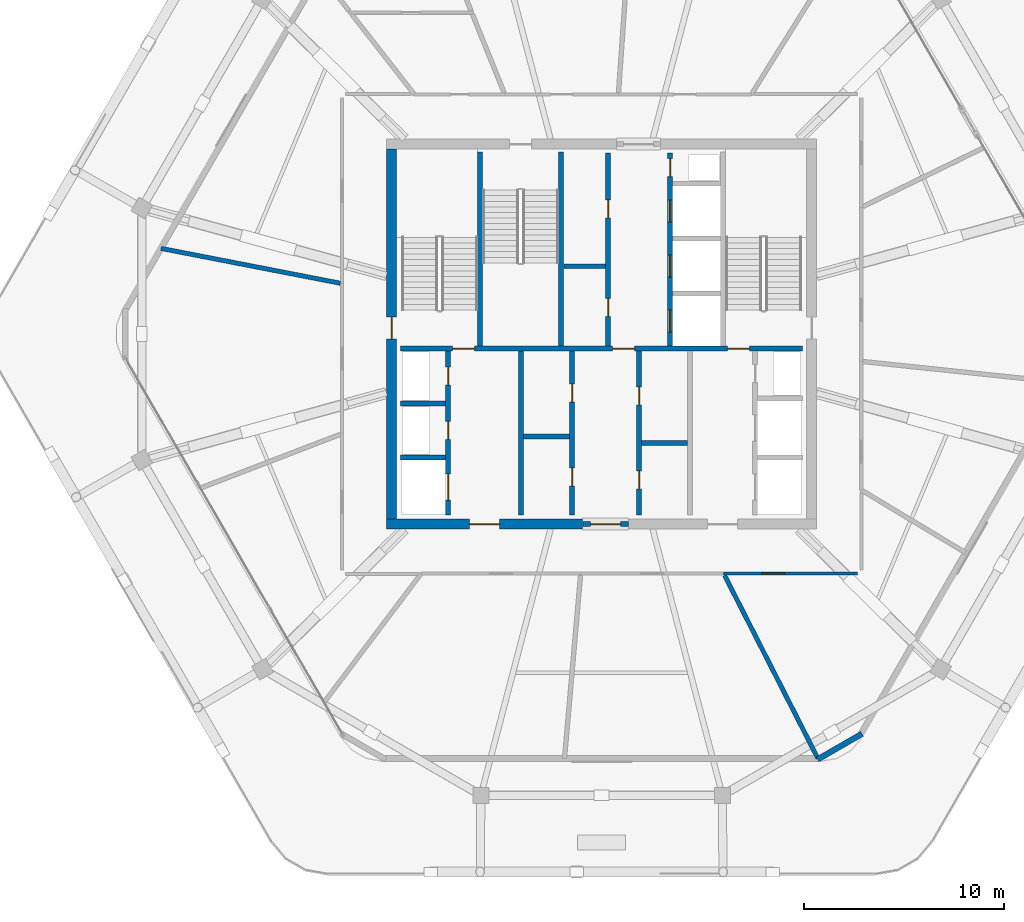
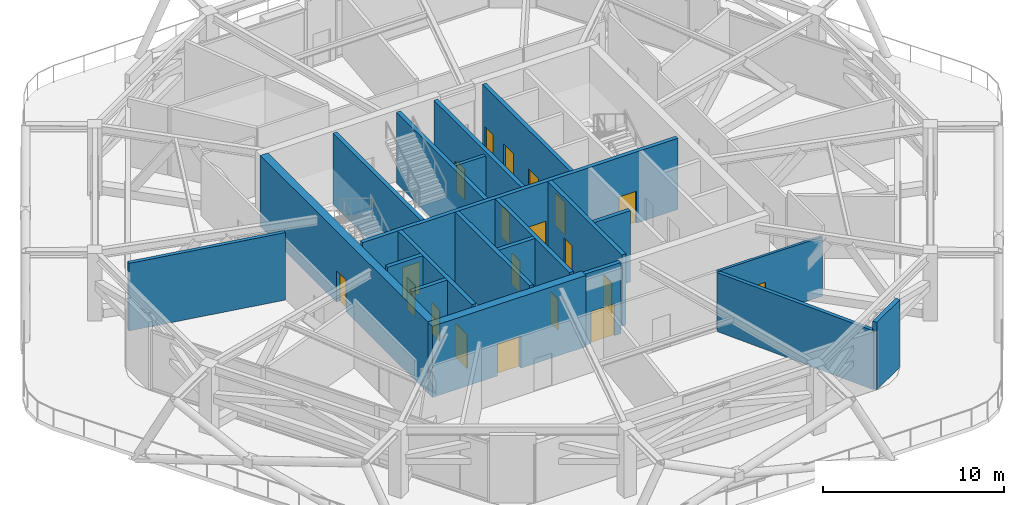
# One storey, part 13 of 19: 21 walls, 20 doors, 20 openings.
"""IFC4 building model written with IfcOpenShell, lengths in metres."""

from ifc_helpers import new_model, si_unit, direction, frame, frame_2d, origin, place, context, subcontext, project, spatial, rectangle, extrude, material, layer, layer_set, type_object, element, fill, save


model = new_model("IFC4")

# Units and contexts
model_context = context("Model", 3, precision=1e-05, world=origin(), true_north=direction((0.0, 1.0)))
body_context = subcontext(model_context, "Body", "Model", "MODEL_VIEW")
ifc_project = project(units=[si_unit("LENGTHUNIT", "METRE"), si_unit("AREAUNIT", "SQUARE_METRE"), si_unit("VOLUMEUNIT", "CUBIC_METRE"), si_unit("PLANEANGLEUNIT", "RADIAN"), si_unit("MASSUNIT", "GRAM", prefix="KILO")], contexts=[model_context])

# Site, building, storey
site_placement = place(None, origin())
site = spatial("IfcSite", under=ifc_project, at=site_placement, CompositionType="ELEMENT")
building_placement = place(site_placement, origin())
building = spatial("IfcBuilding", under=site, at=building_placement, Name="Zuhravey Tower", CompositionType="ELEMENT")
storey_placement = place(building_placement, frame((0.0, 0.0, 303.39990234375)))
storey = spatial("IfcBuildingStorey", under=building, at=storey_placement, Name="L77", CompositionType="ELEMENT", Elevation=303.39990234375)

# Wall, opening, door
ifc_material_1 = material(Name="Concrete C50/60", Category="concrete")
ifc_layer_1 = layer(ifc_material_1, 0.5)
ifc_layer_set_1 = layer_set([ifc_layer_1], Name="Concrete C50/60")
wall_type_1 = type_object("IfcWallType", Name="Core Shear Wall 500", PredefinedType="SHEAR", material=ifc_layer_set_1)
wall_1_placement = place(storey_placement, frame((25.25, 22.5, 0.0), z_axis=(0.0, 0.0, 1.0), x_axis=(1.0, 0.0, 0.0)))
wall_1 = element("IfcWall", 1, at=wall_1_placement, inside=storey, type_object=wall_type_1, Name="L77 South-West Core Shear Wall CW50", PredefinedType="SHEAR", context=body_context, shape_type="SweptSolid", body=[
    extrude(rectangle(XDim=9.800048828125, YDim=0.5, at=frame_2d((4.89990234375, 0.0))), origin(), (0.0, 0.0, 1.0), 4.800048828125),
])
opening_1_placement = place(wall_1_placement, frame((4.14990234375, 0.0, 0.0)))
opening_1 = element("IfcOpeningElement", 2, at=opening_1_placement, cuts=wall_1, Name="Opening FFD1", PredefinedType="OPENING", context=body_context, shape_type="SweptSolid", body=[
    extrude(rectangle(XDim=1.5, YDim=2.14990234375, at=frame_2d((0.75, 1.074951171875))), frame((0.0, 0.261962890625, 0.0), z_axis=(0.0, -1.0, 0.0), x_axis=(1.0, 0.0, 0.0)), (0.0, 0.0, 1.0), 0.52392578125),
])
ifc_material_2 = material(Name="Galvanised fire-rated steel leaf", Category="steel")
door_type_1 = type_object("IfcDoorType", Name="Firefighting Lobby Double Door 1500x2150", OperationType="DOUBLE_DOOR_SINGLE_SWING", PredefinedType="DOOR", material=ifc_material_2)
door_1_placement = place(opening_1_placement, origin())
door_1 = element("IfcDoor", 3, at=door_1_placement, inside=storey, type_object=door_type_1, Name="L77 Firefighting Lobby West Door", OperationType="DOUBLE_DOOR_SINGLE_SWING", OverallHeight=2.14990234375, OverallWidth=1.5, PredefinedType="DOOR", context=body_context, shape_type="SweptSolid", body=[
    extrude(rectangle(XDim=1.5, YDim=2.14990234375, at=frame_2d((0.75, 1.074951171875))), frame((0.0, 0.02490234375, 0.0), z_axis=(0.0, -1.0, 0.0), x_axis=(1.0, 0.0, 0.0)), (0.0, 0.0, 1.0), 0.050048828125),
])
fill(opening_1, door_1)

wall_2_placement = place(storey_placement, frame((25.5, 22.75, 0.0), z_axis=(0.0, 0.0, 1.0), x_axis=(0.0, 1.0, 0.0)))
wall_2 = element("IfcWall", 4, at=wall_2_placement, inside=storey, type_object=wall_type_1, Name="L77 West Core Shear Wall CW50", PredefinedType="SHEAR", context=body_context, shape_type="SweptSolid", body=[
    extrude(rectangle(XDim=18.5, YDim=0.5, at=frame_2d((9.25, 0.0))), origin(), (0.0, 0.0, 1.0), 4.800048828125),
])
opening_2_placement = place(wall_2_placement, frame((9.0, 0.0, 0.0)))
opening_2 = element("IfcOpeningElement", 5, at=opening_2_placement, cuts=wall_2, Name="Opening STD1", PredefinedType="OPENING", context=body_context, shape_type="SweptSolid", body=[
    extrude(rectangle(XDim=1.10009765625, YDim=2.14990234375, at=frame_2d((0.550048828125, 1.074951171875))), frame((0.0, 0.261962890625, 0.0), z_axis=(0.0, -1.0, 0.0), x_axis=(1.0, 0.0, 0.0)), (0.0, 0.0, 1.0), 0.52392578125),
])
door_type_2 = type_object("IfcDoorType", Name="Protected Stair Fire Door 1100x2150", OperationType="NOTDEFINED", PredefinedType="USERDEFINED", material=ifc_material_2)
door_2_placement = place(opening_2_placement, frame((1.10009765625, 0.0, 0.0), z_axis=(0.0, 0.0, 1.0), x_axis=(-1.0, 0.0, 0.0)))
door_2 = element("IfcDoor", 6, at=door_2_placement, inside=storey, type_object=door_type_2, Name="L77 Stair ST1 Door", ObjectType="EXITDOOR", OperationType="SINGLE_SWING_LEFT", OverallHeight=2.14990234375, OverallWidth=1.10009765625, PredefinedType="USERDEFINED", context=body_context, shape_type="SweptSolid", body=[
    extrude(rectangle(XDim=1.10009765625, YDim=2.14990234375, at=frame_2d((0.550048828125, 1.074951171875))), frame((0.0, 0.02490234375, 0.0), z_axis=(0.0, -1.0, 0.0), x_axis=(1.0, 0.0, 0.0)), (0.0, 0.0, 1.0), 0.050048828125),
])
fill(opening_2, door_2)

ifc_material_3 = material(Name="Gypsum fire-rated stud partition")
ifc_layer_2 = layer(ifc_material_3, 0.159912109375)
ifc_layer_set_2 = layer_set([ifc_layer_2], Name="Gypsum fire-rated stud partition")
wall_type_2 = type_object("IfcWallType", Name="Corridor Fire Partition 160", PredefinedType="PARTITIONING", material=ifc_layer_set_2)
wall_3_placement = place(storey_placement, frame((42.10400390625, 20.02001953125, 0.0), z_axis=(0.0, 0.0, 1.0), x_axis=(1.0, 0.0, 0.0)))
wall_3 = element("IfcWall", 7, at=wall_3_placement, inside=storey, type_object=wall_type_2, Name="L77 IW16 Partition 030", PredefinedType="PARTITIONING", context=body_context, shape_type="SweptSolid", body=[
    extrude(rectangle(XDim=6.696044921875, YDim=0.159912109375, at=frame_2d((3.34814453125, 0.0))), origin(), (0.0, 0.0, 1.0), 4.0),
])
opening_3_placement = place(wall_3_placement, frame((1.892822265625, 0.0, 0.0)))
opening_3 = element("IfcOpeningElement", 8, at=opening_3_placement, cuts=wall_3, Name="Opening CLD1", PredefinedType="OPENING", context=body_context, shape_type="SweptSolid", body=[
    extrude(rectangle(XDim=1.14990234375, YDim=2.199951171875, at=frame_2d((0.574951171875, 1.10009765625))), frame((0.0, 0.092041015625, 0.0), z_axis=(0.0, -1.0, 0.0), x_axis=(1.0, 0.0, 0.0)), (0.0, 0.0, 1.0), 0.183837890625),
])
ifc_material_4 = material(Name="Acoustic timber leaf with vision lite", Category="wood")
door_type_3 = type_object("IfcDoorType", Name="Classroom Acoustic Door 1150x2200", OperationType="NOTDEFINED", PredefinedType="DOOR", material=ifc_material_4)
door_3_placement = place(opening_3_placement, frame((1.14990234375, 0.0, 0.0), z_axis=(0.0, 0.0, 1.0), x_axis=(-1.0, 0.0, 0.0)))
door_3 = element("IfcDoor", 9, at=door_3_placement, inside=storey, type_object=door_type_3, Name="L77 Door 030.1", OperationType="SINGLE_SWING_RIGHT", OverallHeight=2.199951171875, OverallWidth=1.14990234375, PredefinedType="DOOR", context=body_context, shape_type="SweptSolid", body=[
    extrude(rectangle(XDim=1.14990234375, YDim=2.199951171875, at=frame_2d((0.574951171875, 1.10009765625))), frame((0.0, 0.02490234375, 0.0), z_axis=(0.0, -1.0, 0.0), x_axis=(1.0, 0.0, 0.0)), (0.0, 0.0, 1.0), 0.050048828125),
])
fill(opening_3, door_3)

# Wall
ifc_material_5 = material(Name="Precast concrete C40/50", Category="concrete")
ifc_layer_3 = layer(ifc_material_5, 0.280029296875)
ifc_layer_set_3 = layer_set([ifc_layer_3], Name="Precast concrete C40/50")
wall_type_3 = type_object("IfcWallType", Name="Crown Architectural Wall 280", PredefinedType="SOLIDWALL", material=ifc_layer_set_3)
wall_4_placement = place(storey_placement, frame((49.021484375, 12.010986328125, 0.0), z_axis=(0.0, 0.0, 1.0), x_axis=(-0.866014388206, -0.500019079056, 0.0)))
element("IfcWall", 10, at=wall_4_placement, inside=storey, type_object=wall_type_3, Name="L77 Rounded Corner Closure Wall EW28-02", PredefinedType="SOLIDWALL", context=body_context, shape_type="SweptSolid", body=[
    extrude(rectangle(XDim=2.56494140625, YDim=0.280029296875, at=frame_2d((1.282470703125, 0.0))), origin(), (0.0, 0.0, 1.0), 4.550048828125),
])

# Wall, opening, door
ifc_layer_4 = layer(ifc_material_1, 0.25)
ifc_layer_set_4 = layer_set([ifc_layer_4], Name="Concrete C50/60")
wall_type_4 = type_object("IfcWallType", Name="Firefighting Shaft & Stair Wall 250", PredefinedType="SOLIDWALL", material=ifc_layer_set_4)
wall_5_placement = place(storey_placement, frame((35.06005859375, 22.5, 0.0), z_axis=(0.0, 0.0, 1.0), x_axis=(1.0, 0.0, 0.0)))
wall_5 = element("IfcWall", 11, at=wall_5_placement, inside=storey, type_object=wall_type_4, Name="L77 FW25 Shaft Wall 001", PredefinedType="SOLIDWALL", context=body_context, shape_type="SweptSolid", body=[
    extrude(rectangle(XDim=2.280029296875, YDim=0.25, at=frame_2d((1.14013671875, 0.0))), origin(), (0.0, 0.0, 1.0), 4.800048828125),
])
opening_4_placement = place(wall_5_placement, frame((0.389892578125, 0.0, 0.0)))
opening_4 = element("IfcOpeningElement", 12, at=opening_4_placement, cuts=wall_5, Name="Opening FFD1", PredefinedType="OPENING", context=body_context, shape_type="SweptSolid", body=[
    extrude(rectangle(XDim=1.5, YDim=2.14990234375, at=frame_2d((0.75, 1.074951171875))), frame((0.0, 0.136962890625, 0.0), z_axis=(0.0, -1.0, 0.0), x_axis=(1.0, 0.0, 0.0)), (0.0, 0.0, 1.0), 0.27392578125),
])
door_4_placement = place(opening_4_placement, frame((1.5, 0.0, 0.0), z_axis=(0.0, 0.0, 1.0), x_axis=(-1.0, 0.0, 0.0)))
door_4 = element("IfcDoor", 13, at=door_4_placement, inside=storey, type_object=door_type_1, Name="L77 South Lift Lobby Exit Door", OperationType="DOUBLE_DOOR_SINGLE_SWING", OverallHeight=2.14990234375, OverallWidth=1.5, PredefinedType="DOOR", context=body_context, shape_type="SweptSolid", body=[
    extrude(rectangle(XDim=1.5, YDim=2.14990234375, at=frame_2d((0.75, 1.074951171875))), frame((0.0, 0.02490234375, 0.0), z_axis=(0.0, -1.0, 0.0), x_axis=(1.0, 0.0, 0.0)), (0.0, 0.0, 1.0), 0.050048828125),
])
fill(opening_4, door_4)

# Wall, openings, doors
wall_6_placement = place(storey_placement, frame((25.949951171875, 31.27490234375, 0.0), z_axis=(0.0, 0.0, 1.0), x_axis=(1.0, 0.0, 0.0)))
wall_6 = element("IfcWall", 14, at=wall_6_placement, inside=storey, type_object=wall_type_4, Name="L77 FW25 Shaft Wall 003", PredefinedType="SOLIDWALL", context=body_context, shape_type="SweptSolid", body=[
    extrude(rectangle(XDim=20.10009765625, YDim=0.25, at=frame_2d((10.050048828125, 0.0))), origin(), (0.0, 0.0, 1.0), 4.800048828125),
])
opening_5_placement = place(wall_6_placement, frame((2.60009765625, 0.0, 0.0)))
opening_5 = element("IfcOpeningElement", 15, at=opening_5_placement, cuts=wall_6, Name="Opening STD1", PredefinedType="OPENING", context=body_context, shape_type="SweptSolid", body=[
    extrude(rectangle(XDim=1.10009765625, YDim=2.14990234375, at=frame_2d((0.550048828125, 1.074951171875))), frame((0.0, 0.136962890625, 0.0), z_axis=(0.0, -1.0, 0.0), x_axis=(1.0, 0.0, 0.0)), (0.0, 0.0, 1.0), 0.27392578125),
])
opening_6_placement = place(wall_6_placement, frame((10.60009765625, 0.0, 0.0)))
opening_6 = element("IfcOpeningElement", 16, at=opening_6_placement, cuts=wall_6, Name="Opening STD1", PredefinedType="OPENING", context=body_context, shape_type="SweptSolid", body=[
    extrude(rectangle(XDim=1.10009765625, YDim=2.14990234375, at=frame_2d((0.550048828125, 1.074951171875))), frame((0.0, 0.136962890625, 0.0), z_axis=(0.0, -1.0, 0.0), x_axis=(1.0, 0.0, 0.0)), (0.0, 0.0, 1.0), 0.27392578125),
])
opening_7_placement = place(wall_6_placement, frame((16.35009765625, 0.0, 0.0)))
opening_7 = element("IfcOpeningElement", 17, at=opening_7_placement, cuts=wall_6, Name="Opening STD1", PredefinedType="OPENING", context=body_context, shape_type="SweptSolid", body=[
    extrude(rectangle(XDim=1.10009765625, YDim=2.14990234375, at=frame_2d((0.550048828125, 1.074951171875))), frame((0.0, 0.136962890625, 0.0), z_axis=(0.0, -1.0, 0.0), x_axis=(1.0, 0.0, 0.0)), (0.0, 0.0, 1.0), 0.27392578125),
])
door_5_placement = place(opening_5_placement, origin())
door_5 = element("IfcDoor", 18, at=door_5_placement, inside=storey, type_object=door_type_2, Name="L77 FFL-W to ST1 Door", ObjectType="EXITDOOR", OperationType="SINGLE_SWING_RIGHT", OverallHeight=2.14990234375, OverallWidth=1.10009765625, PredefinedType="USERDEFINED", context=body_context, shape_type="SweptSolid", body=[
    extrude(rectangle(XDim=1.10009765625, YDim=2.14990234375, at=frame_2d((0.550048828125, 1.074951171875))), frame((0.0, 0.02490234375, 0.0), z_axis=(0.0, -1.0, 0.0), x_axis=(1.0, 0.0, 0.0)), (0.0, 0.0, 1.0), 0.050048828125),
])
fill(opening_5, door_5)
door_6_placement = place(opening_6_placement, origin())
door_6 = element("IfcDoor", 19, at=door_6_placement, inside=storey, type_object=door_type_2, Name="L77 Core Lobby Link Door", ObjectType="EXITDOOR", OperationType="SINGLE_SWING_LEFT", OverallHeight=2.14990234375, OverallWidth=1.10009765625, PredefinedType="USERDEFINED", context=body_context, shape_type="SweptSolid", body=[
    extrude(rectangle(XDim=1.10009765625, YDim=2.14990234375, at=frame_2d((0.550048828125, 1.074951171875))), frame((0.0, 0.02490234375, 0.0), z_axis=(0.0, -1.0, 0.0), x_axis=(1.0, 0.0, 0.0)), (0.0, 0.0, 1.0), 0.050048828125),
])
fill(opening_6, door_6)
door_7_placement = place(opening_7_placement, origin())
door_7 = element("IfcDoor", 20, at=door_7_placement, inside=storey, type_object=door_type_2, Name="L77 FFL-E to ST2 Door", ObjectType="EXITDOOR", OperationType="SINGLE_SWING_RIGHT", OverallHeight=2.14990234375, OverallWidth=1.10009765625, PredefinedType="USERDEFINED", context=body_context, shape_type="SweptSolid", body=[
    extrude(rectangle(XDim=1.10009765625, YDim=2.14990234375, at=frame_2d((0.550048828125, 1.074951171875))), frame((0.0, 0.02490234375, 0.0), z_axis=(0.0, -1.0, 0.0), x_axis=(1.0, 0.0, 0.0)), (0.0, 0.0, 1.0), 0.050048828125),
])
fill(opening_7, door_7)

# Walls
for number, where, z_axis, x_axis, name in (
    (21, (29.925048828125, 31.39990234375, 0.0), (0.0, 0.0, 1.0), (0.0, 1.0, 0.0), "L77 FW25 Shaft Wall 004"),
    (22, (33.97509765625, 31.39990234375, 0.0), (0.0, 0.0, 1.0), (0.0, 1.0, 0.0), "L77 FW25 Shaft Wall 005"),
):
    element("IfcWall", number, at=place(storey_placement, frame(where, z_axis=z_axis, x_axis=x_axis)), inside=storey, type_object=wall_type_4, Name=name, PredefinedType="SOLIDWALL", context=body_context, shape_type="SweptSolid", body=[
        extrude(rectangle(XDim=9.7001953125, YDim=0.25, at=frame_2d((4.85009765625, 0.0))), origin(), (0.0, 0.0, 1.0), 4.800048828125),
    ])

# Wall, openings, doors
wall_7_placement = place(storey_placement, frame((36.324951171875, 31.39990234375, 0.0), z_axis=(0.0, 0.0, 1.0), x_axis=(0.0, 1.0, 0.0)))
wall_7 = element("IfcWall", 23, at=wall_7_placement, inside=storey, type_object=wall_type_4, Name="L77 FW25 Shaft Wall 007", PredefinedType="SOLIDWALL", context=body_context, shape_type="SweptSolid", body=[
    extrude(rectangle(XDim=9.650146484375, YDim=0.25, at=frame_2d((4.8251953125, 0.0))), origin(), (0.0, 0.0, 1.0), 4.800048828125),
])
opening_8_placement = place(wall_7_placement, frame((1.489990234375, 0.0, 0.0)))
opening_8 = element("IfcOpeningElement", 24, at=opening_8_placement, cuts=wall_7, Name="Opening RSD1", PredefinedType="OPENING", context=body_context, shape_type="SweptSolid", body=[
    extrude(rectangle(XDim=0.89990234375, YDim=2.10009765625, at=frame_2d((0.449951171875, 1.050048828125))), frame((0.0, 0.136962890625, 0.0), z_axis=(0.0, -1.0, 0.0), x_axis=(1.0, 0.0, 0.0)), (0.0, 0.0, 1.0), 0.27392578125),
])
opening_9_placement = place(wall_7_placement, frame((6.409912109375, 0.0, 0.0)))
opening_9 = element("IfcOpeningElement", 25, at=opening_9_placement, cuts=wall_7, Name="Opening RSD1", PredefinedType="OPENING", context=body_context, shape_type="SweptSolid", body=[
    extrude(rectangle(XDim=0.89990234375, YDim=2.10009765625, at=frame_2d((0.449951171875, 1.050048828125))), frame((0.0, 0.136962890625, 0.0), z_axis=(0.0, -1.0, 0.0), x_axis=(1.0, 0.0, 0.0)), (0.0, 0.0, 1.0), 0.27392578125),
])
ifc_material_6 = material(Name="Galvanised fire-rated steel access leaf", Category="steel")
door_type_4 = type_object("IfcDoorType", Name="Riser & Shaft Access Fire Door 900x2100", OperationType="NOTDEFINED", PredefinedType="DOOR", material=ifc_material_6)
door_8_placement = place(opening_8_placement, origin())
door_8 = element("IfcDoor", 26, at=door_8_placement, inside=storey, type_object=door_type_4, Name="L77 Core Cleaner Store Door", OperationType="SINGLE_SWING_LEFT", OverallHeight=2.10009765625, OverallWidth=0.89990234375, PredefinedType="DOOR", context=body_context, shape_type="SweptSolid", body=[
    extrude(rectangle(XDim=0.89990234375, YDim=2.10009765625, at=frame_2d((0.449951171875, 1.050048828125))), frame((0.0, 0.02490234375, 0.0), z_axis=(0.0, -1.0, 0.0), x_axis=(1.0, 0.0, 0.0)), (0.0, 0.0, 1.0), 0.050048828125),
])
fill(opening_8, door_8)
door_9_placement = place(opening_9_placement, origin())
door_9 = element("IfcDoor", 27, at=door_9_placement, inside=storey, type_object=door_type_4, Name="L77 Core Pantry and Tea Room Door", OperationType="SINGLE_SWING_RIGHT", OverallHeight=2.10009765625, OverallWidth=0.89990234375, PredefinedType="DOOR", context=body_context, shape_type="SweptSolid", body=[
    extrude(rectangle(XDim=0.89990234375, YDim=2.10009765625, at=frame_2d((0.449951171875, 1.050048828125))), frame((0.0, 0.02490234375, 0.0), z_axis=(0.0, -1.0, 0.0), x_axis=(1.0, 0.0, 0.0)), (0.0, 0.0, 1.0), 0.050048828125),
])
fill(opening_9, door_9)

wall_8_placement = place(storey_placement, frame((39.425048828125, 31.39990234375, 0.0), z_axis=(0.0, 0.0, 1.0), x_axis=(0.0, 1.0, 0.0)))
wall_8 = element("IfcWall", 28, at=wall_8_placement, inside=storey, type_object=wall_type_4, Name="L77 FW25 Shaft Wall 008", PredefinedType="SOLIDWALL", context=body_context, shape_type="SweptSolid", body=[
    extrude(rectangle(XDim=9.650146484375, YDim=0.25, at=frame_2d((4.8251953125, 0.0))), origin(), (0.0, 0.0, 1.0), 4.800048828125),
])
opening_10_placement = place(wall_8_placement, frame((0.699951171875, 0.0, 0.0)))
opening_10 = element("IfcOpeningElement", 29, at=opening_10_placement, cuts=wall_8, Name="Opening LD1", PredefinedType="OPENING", context=body_context, shape_type="SweptSolid", body=[
    extrude(rectangle(XDim=1.10009765625, YDim=2.199951171875, at=frame_2d((0.550048828125, 1.10009765625))), frame((0.0, 0.136962890625, 0.0), z_axis=(0.0, -1.0, 0.0), x_axis=(1.0, 0.0, 0.0)), (0.0, 0.0, 1.0), 0.27392578125),
])
opening_11_placement = place(wall_8_placement, frame((3.449951171875, 0.0, 0.0)))
opening_11 = element("IfcOpeningElement", 30, at=opening_11_placement, cuts=wall_8, Name="Opening LD1", PredefinedType="OPENING", context=body_context, shape_type="SweptSolid", body=[
    extrude(rectangle(XDim=1.10009765625, YDim=2.199951171875, at=frame_2d((0.550048828125, 1.10009765625))), frame((0.0, 0.136962890625, 0.0), z_axis=(0.0, -1.0, 0.0), x_axis=(1.0, 0.0, 0.0)), (0.0, 0.0, 1.0), 0.27392578125),
])
opening_12_placement = place(wall_8_placement, frame((6.199951171875, 0.0, 0.0)))
opening_12 = element("IfcOpeningElement", 31, at=opening_12_placement, cuts=wall_8, Name="Opening LD1", PredefinedType="OPENING", context=body_context, shape_type="SweptSolid", body=[
    extrude(rectangle(XDim=1.10009765625, YDim=2.199951171875, at=frame_2d((0.550048828125, 1.10009765625))), frame((0.0, 0.136962890625, 0.0), z_axis=(0.0, -1.0, 0.0), x_axis=(1.0, 0.0, 0.0)), (0.0, 0.0, 1.0), 0.27392578125),
])
opening_13_placement = place(wall_8_placement, frame((8.469970703125, 0.0, 0.0)))
opening_13 = element("IfcOpeningElement", 32, at=opening_13_placement, cuts=wall_8, Name="Opening RSD1", PredefinedType="OPENING", context=body_context, shape_type="SweptSolid", body=[
    extrude(rectangle(XDim=0.89990234375, YDim=2.10009765625, at=frame_2d((0.449951171875, 1.050048828125))), frame((0.0, 0.136962890625, 0.0), z_axis=(0.0, -1.0, 0.0), x_axis=(1.0, 0.0, 0.0)), (0.0, 0.0, 1.0), 0.27392578125),
])
ifc_material_7 = material(Name="Brushed stainless steel", Category="steel")
door_type_5 = type_object("IfcDoorType", Name="Lift Landing Sliding Door 1100x2200", OperationType="DOUBLE_DOOR_SLIDING", PredefinedType="DOOR", material=ifc_material_7)
door_10_placement = place(opening_10_placement, origin())
door_10 = element("IfcDoor", 33, at=door_10_placement, inside=storey, type_object=door_type_5, Name="L77 Lift PL7 Landing Door", OperationType="DOUBLE_DOOR_SLIDING", OverallHeight=2.199951171875, OverallWidth=1.10009765625, PredefinedType="DOOR", context=body_context, shape_type="SweptSolid", body=[
    extrude(rectangle(XDim=1.10009765625, YDim=2.199951171875, at=frame_2d((0.550048828125, 1.10009765625))), frame((0.0, 0.02490234375, 0.0), z_axis=(0.0, -1.0, 0.0), x_axis=(1.0, 0.0, 0.0)), (0.0, 0.0, 1.0), 0.050048828125),
])
fill(opening_10, door_10)
door_11_placement = place(opening_11_placement, origin())
door_11 = element("IfcDoor", 34, at=door_11_placement, inside=storey, type_object=door_type_5, Name="L77 Lift PL8 Landing Door", OperationType="DOUBLE_DOOR_SLIDING", OverallHeight=2.199951171875, OverallWidth=1.10009765625, PredefinedType="DOOR", context=body_context, shape_type="SweptSolid", body=[
    extrude(rectangle(XDim=1.10009765625, YDim=2.199951171875, at=frame_2d((0.550048828125, 1.10009765625))), frame((0.0, 0.02490234375, 0.0), z_axis=(0.0, -1.0, 0.0), x_axis=(1.0, 0.0, 0.0)), (0.0, 0.0, 1.0), 0.050048828125),
])
fill(opening_11, door_11)
door_12_placement = place(opening_12_placement, origin())
door_12 = element("IfcDoor", 35, at=door_12_placement, inside=storey, type_object=door_type_5, Name="L77 Lift PL9 Landing Door", OperationType="DOUBLE_DOOR_SLIDING", OverallHeight=2.199951171875, OverallWidth=1.10009765625, PredefinedType="DOOR", context=body_context, shape_type="SweptSolid", body=[
    extrude(rectangle(XDim=1.10009765625, YDim=2.199951171875, at=frame_2d((0.550048828125, 1.10009765625))), frame((0.0, 0.02490234375, 0.0), z_axis=(0.0, -1.0, 0.0), x_axis=(1.0, 0.0, 0.0)), (0.0, 0.0, 1.0), 0.050048828125),
])
fill(opening_12, door_12)
door_13_placement = place(opening_13_placement, origin())
door_13 = element("IfcDoor", 36, at=door_13_placement, inside=storey, type_object=door_type_4, Name="L77 North Riser Door", OperationType="SINGLE_SWING_LEFT", OverallHeight=2.10009765625, OverallWidth=0.89990234375, PredefinedType="DOOR", context=body_context, shape_type="SweptSolid", body=[
    extrude(rectangle(XDim=0.89990234375, YDim=2.10009765625, at=frame_2d((0.449951171875, 1.050048828125))), frame((0.0, 0.02490234375, 0.0), z_axis=(0.0, -1.0, 0.0), x_axis=(1.0, 0.0, 0.0)), (0.0, 0.0, 1.0), 0.050048828125),
])
fill(opening_13, door_13)

# Walls
for number, where, z_axis, x_axis, name in (
    (37, (25.949951171875, 25.824951171875, 0.0), (0.0, 0.0, 1.0), (1.0, 0.0, 0.0), "L77 FW25 Shaft Wall 009"),
    (38, (25.949951171875, 28.52490234375, 0.0), (0.0, 0.0, 1.0), (1.0, 0.0, 0.0), "L77 FW25 Shaft Wall 010"),
):
    element("IfcWall", number, at=place(storey_placement, frame(where, z_axis=z_axis, x_axis=x_axis)), inside=storey, type_object=wall_type_4, Name=name, PredefinedType="SOLIDWALL", context=body_context, shape_type="SweptSolid", body=[
        extrude(rectangle(XDim=2.25, YDim=0.25, at=frame_2d((1.125, 0.0))), origin(), (0.0, 0.0, 1.0), 4.800048828125),
    ])

# Wall, openings, doors
wall_9_placement = place(storey_placement, frame((28.324951171875, 22.949951171875, 0.0), z_axis=(0.0, 0.0, 1.0), x_axis=(0.0, 1.0, 0.0)))
wall_9 = element("IfcWall", 39, at=wall_9_placement, inside=storey, type_object=wall_type_4, Name="L77 FW25 Shaft Wall 011", PredefinedType="SOLIDWALL", context=body_context, shape_type="SweptSolid", body=[
    extrude(rectangle(XDim=8.199951171875, YDim=0.25, at=frame_2d((4.10009765625, 0.0))), origin(), (0.0, 0.0, 1.0), 4.800048828125),
])
opening_14_placement = place(wall_9_placement, frame((0.75, 0.0, 0.0)))
opening_14 = element("IfcOpeningElement", 40, at=opening_14_placement, cuts=wall_9, Name="Opening LD2", PredefinedType="OPENING", context=body_context, shape_type="SweptSolid", body=[
    extrude(rectangle(XDim=1.300048828125, YDim=2.300048828125, at=frame_2d((0.64990234375, 1.14990234375))), frame((0.0, 0.136962890625, 0.0), z_axis=(0.0, -1.0, 0.0), x_axis=(1.0, 0.0, 0.0)), (0.0, 0.0, 1.0), 0.27392578125),
])
opening_15_placement = place(wall_9_placement, frame((3.780029296875, 0.0, 0.0)))
opening_15 = element("IfcOpeningElement", 41, at=opening_15_placement, cuts=wall_9, Name="Opening RSD1", PredefinedType="OPENING", context=body_context, shape_type="SweptSolid", body=[
    extrude(rectangle(XDim=0.89990234375, YDim=2.10009765625, at=frame_2d((0.449951171875, 1.050048828125))), frame((0.0, 0.136962890625, 0.0), z_axis=(0.0, -1.0, 0.0), x_axis=(1.0, 0.0, 0.0)), (0.0, 0.0, 1.0), 0.27392578125),
])
opening_16_placement = place(wall_9_placement, frame((6.5, 0.0, 0.0)))
opening_16 = element("IfcOpeningElement", 42, at=opening_16_placement, cuts=wall_9, Name="Opening RSD1", PredefinedType="OPENING", context=body_context, shape_type="SweptSolid", body=[
    extrude(rectangle(XDim=0.89990234375, YDim=2.10009765625, at=frame_2d((0.449951171875, 1.050048828125))), frame((0.0, 0.136962890625, 0.0), z_axis=(0.0, -1.0, 0.0), x_axis=(1.0, 0.0, 0.0)), (0.0, 0.0, 1.0), 0.27392578125),
])
door_type_6 = type_object("IfcDoorType", Name="Freight & Stretcher Lift Sliding Door 1300x2300", OperationType="DOUBLE_DOOR_SLIDING", PredefinedType="DOOR", material=ifc_material_7)
door_14_placement = place(opening_14_placement, frame((1.300048828125, 0.0, 0.0), z_axis=(0.0, 0.0, 1.0), x_axis=(-1.0, 0.0, 0.0)))
door_14 = element("IfcDoor", 43, at=door_14_placement, inside=storey, type_object=door_type_6, Name="L77 Lift FF1 Landing Door", OperationType="DOUBLE_DOOR_SLIDING", OverallHeight=2.300048828125, OverallWidth=1.300048828125, PredefinedType="DOOR", context=body_context, shape_type="SweptSolid", body=[
    extrude(rectangle(XDim=1.300048828125, YDim=2.300048828125, at=frame_2d((0.64990234375, 1.14990234375))), frame((0.0, 0.02490234375, 0.0), z_axis=(0.0, -1.0, 0.0), x_axis=(1.0, 0.0, 0.0)), (0.0, 0.0, 1.0), 0.050048828125),
])
fill(opening_14, door_14)
door_15_placement = place(opening_15_placement, frame((0.89990234375, 0.0, 0.0), z_axis=(0.0, 0.0, 1.0), x_axis=(-1.0, 0.0, 0.0)))
door_15 = element("IfcDoor", 44, at=door_15_placement, inside=storey, type_object=door_type_4, Name="L77 Electrical Riser Door", OperationType="SINGLE_SWING_RIGHT", OverallHeight=2.10009765625, OverallWidth=0.89990234375, PredefinedType="DOOR", context=body_context, shape_type="SweptSolid", body=[
    extrude(rectangle(XDim=0.89990234375, YDim=2.10009765625, at=frame_2d((0.449951171875, 1.050048828125))), frame((0.0, 0.02490234375, 0.0), z_axis=(0.0, -1.0, 0.0), x_axis=(1.0, 0.0, 0.0)), (0.0, 0.0, 1.0), 0.050048828125),
])
fill(opening_15, door_15)
door_16_placement = place(opening_16_placement, frame((0.89990234375, 0.0, 0.0), z_axis=(0.0, 0.0, 1.0), x_axis=(-1.0, 0.0, 0.0)))
door_16 = element("IfcDoor", 45, at=door_16_placement, inside=storey, type_object=door_type_4, Name="L77 Smoke Shaft Access Door", OperationType="SINGLE_SWING_LEFT", OverallHeight=2.10009765625, OverallWidth=0.89990234375, PredefinedType="DOOR", context=body_context, shape_type="SweptSolid", body=[
    extrude(rectangle(XDim=0.89990234375, YDim=2.10009765625, at=frame_2d((0.449951171875, 1.050048828125))), frame((0.0, 0.02490234375, 0.0), z_axis=(0.0, -1.0, 0.0), x_axis=(1.0, 0.0, 0.0)), (0.0, 0.0, 1.0), 0.050048828125),
])
fill(opening_16, door_16)

# Walls
wall_10_placement = place(storey_placement, frame((31.97509765625, 22.949951171875, 0.0), z_axis=(0.0, 0.0, 1.0), x_axis=(0.0, 1.0, 0.0)))
element("IfcWall", 46, at=wall_10_placement, inside=storey, type_object=wall_type_4, Name="L77 FW25 Shaft Wall 012", PredefinedType="SOLIDWALL", context=body_context, shape_type="SweptSolid", body=[
    extrude(rectangle(XDim=8.199951171875, YDim=0.25, at=frame_2d((4.10009765625, 0.0))), origin(), (0.0, 0.0, 1.0), 4.800048828125),
])
wall_11_placement = place(storey_placement, frame((32.10009765625, 26.875, 0.0), z_axis=(0.0, 0.0, 1.0), x_axis=(1.0, 0.0, 0.0)))
element("IfcWall", 47, at=wall_11_placement, inside=storey, type_object=wall_type_4, Name="L77 FW25 Shaft Wall 013", PredefinedType="SOLIDWALL", context=body_context, shape_type="SweptSolid", body=[
    extrude(rectangle(XDim=2.2998046875, YDim=0.25, at=frame_2d((1.14990234375, 0.0))), origin(), (0.0, 0.0, 1.0), 4.800048828125),
])

# Wall, openings, doors
wall_12_placement = place(storey_placement, frame((34.52490234375, 22.949951171875, 0.0), z_axis=(0.0, 0.0, 1.0), x_axis=(0.0, 1.0, 0.0)))
wall_12 = element("IfcWall", 48, at=wall_12_placement, inside=storey, type_object=wall_type_4, Name="L77 FW25 Shaft Wall 014", PredefinedType="SOLIDWALL", context=body_context, shape_type="SweptSolid", body=[
    extrude(rectangle(XDim=8.199951171875, YDim=0.25, at=frame_2d((4.10009765625, 0.0))), origin(), (0.0, 0.0, 1.0), 4.800048828125),
])
opening_17_placement = place(wall_12_placement, frame((1.449951171875, 0.0, 0.0)))
opening_17 = element("IfcOpeningElement", 49, at=opening_17_placement, cuts=wall_12, Name="Opening RSD1", PredefinedType="OPENING", context=body_context, shape_type="SweptSolid", body=[
    extrude(rectangle(XDim=0.89990234375, YDim=2.10009765625, at=frame_2d((0.449951171875, 1.050048828125))), frame((0.0, 0.136962890625, 0.0), z_axis=(0.0, -1.0, 0.0), x_axis=(1.0, 0.0, 0.0)), (0.0, 0.0, 1.0), 0.27392578125),
])
opening_18_placement = place(wall_12_placement, frame((5.64990234375, 0.0, 0.0)))
opening_18 = element("IfcOpeningElement", 50, at=opening_18_placement, cuts=wall_12, Name="Opening RSD1", PredefinedType="OPENING", context=body_context, shape_type="SweptSolid", body=[
    extrude(rectangle(XDim=0.89990234375, YDim=2.10009765625, at=frame_2d((0.449951171875, 1.050048828125))), frame((0.0, 0.136962890625, 0.0), z_axis=(0.0, -1.0, 0.0), x_axis=(1.0, 0.0, 0.0)), (0.0, 0.0, 1.0), 0.27392578125),
])
door_17_placement = place(opening_17_placement, origin())
door_17 = element("IfcDoor", 51, at=door_17_placement, inside=storey, type_object=door_type_4, Name="L77 Housekeeping and Linen Room Door", OperationType="SINGLE_SWING_RIGHT", OverallHeight=2.10009765625, OverallWidth=0.89990234375, PredefinedType="DOOR", context=body_context, shape_type="SweptSolid", body=[
    extrude(rectangle(XDim=0.89990234375, YDim=2.10009765625, at=frame_2d((0.449951171875, 1.050048828125))), frame((0.0, 0.02490234375, 0.0), z_axis=(0.0, -1.0, 0.0), x_axis=(1.0, 0.0, 0.0)), (0.0, 0.0, 1.0), 0.050048828125),
])
fill(opening_17, door_17)
door_18_placement = place(opening_18_placement, origin())
door_18 = element("IfcDoor", 52, at=door_18_placement, inside=storey, type_object=door_type_4, Name="L77 Telecoms Switch Closet Door", OperationType="SINGLE_SWING_LEFT", OverallHeight=2.10009765625, OverallWidth=0.89990234375, PredefinedType="DOOR", context=body_context, shape_type="SweptSolid", body=[
    extrude(rectangle(XDim=0.89990234375, YDim=2.10009765625, at=frame_2d((0.449951171875, 1.050048828125))), frame((0.0, 0.02490234375, 0.0), z_axis=(0.0, -1.0, 0.0), x_axis=(1.0, 0.0, 0.0)), (0.0, 0.0, 1.0), 0.050048828125),
])
fill(opening_18, door_18)

# Wall
wall_13_placement = place(storey_placement, frame((38.0, 26.550048828125, 0.0), z_axis=(0.0, 0.0, 1.0), x_axis=(1.0, 0.0, 0.0)))
element("IfcWall", 53, at=wall_13_placement, inside=storey, type_object=wall_type_4, Name="L77 FW25 Shaft Wall 015", PredefinedType="SOLIDWALL", context=body_context, shape_type="SweptSolid", body=[
    extrude(rectangle(XDim=2.300048828125, YDim=0.25, at=frame_2d((1.14990234375, 0.0))), origin(), (0.0, 0.0, 1.0), 4.800048828125),
])

# Wall, openings, doors
wall_14_placement = place(storey_placement, frame((37.875, 22.949951171875, 0.0), z_axis=(0.0, 0.0, 1.0), x_axis=(0.0, 1.0, 0.0)))
wall_14 = element("IfcWall", 54, at=wall_14_placement, inside=storey, type_object=wall_type_4, Name="L77 FW25 Shaft Wall 016", PredefinedType="SOLIDWALL", context=body_context, shape_type="SweptSolid", body=[
    extrude(rectangle(XDim=8.199951171875, YDim=0.25, at=frame_2d((4.10009765625, 0.0))), origin(), (0.0, 0.0, 1.0), 4.800048828125),
])
opening_19_placement = place(wall_14_placement, frame((1.3125, 0.0, 0.0)))
opening_19 = element("IfcOpeningElement", 55, at=opening_19_placement, cuts=wall_14, Name="Opening RSD1", PredefinedType="OPENING", context=body_context, shape_type="SweptSolid", body=[
    extrude(rectangle(XDim=0.89990234375, YDim=2.10009765625, at=frame_2d((0.449951171875, 1.050048828125))), frame((0.0, 0.136962890625, 0.0), z_axis=(0.0, -1.0, 0.0), x_axis=(1.0, 0.0, 0.0)), (0.0, 0.0, 1.0), 0.27392578125),
])
opening_20_placement = place(wall_14_placement, frame((5.512451171875, 0.0, 0.0)))
opening_20 = element("IfcOpeningElement", 56, at=opening_20_placement, cuts=wall_14, Name="Opening RSD1", PredefinedType="OPENING", context=body_context, shape_type="SweptSolid", body=[
    extrude(rectangle(XDim=0.89990234375, YDim=2.10009765625, at=frame_2d((0.449951171875, 1.050048828125))), frame((0.0, 0.136962890625, 0.0), z_axis=(0.0, -1.0, 0.0), x_axis=(1.0, 0.0, 0.0)), (0.0, 0.0, 1.0), 0.27392578125),
])
door_19_placement = place(opening_19_placement, frame((0.89990234375, 0.0, 0.0), z_axis=(0.0, 0.0, 1.0), x_axis=(-1.0, 0.0, 0.0)))
door_19 = element("IfcDoor", 57, at=door_19_placement, inside=storey, type_object=door_type_4, Name="L77 Trunk Store Door", OperationType="SINGLE_SWING_RIGHT", OverallHeight=2.10009765625, OverallWidth=0.89990234375, PredefinedType="DOOR", context=body_context, shape_type="SweptSolid", body=[
    extrude(rectangle(XDim=0.89990234375, YDim=2.10009765625, at=frame_2d((0.449951171875, 1.050048828125))), frame((0.0, 0.02490234375, 0.0), z_axis=(0.0, -1.0, 0.0), x_axis=(1.0, 0.0, 0.0)), (0.0, 0.0, 1.0), 0.050048828125),
])
fill(opening_19, door_19)
door_20_placement = place(opening_20_placement, frame((0.89990234375, 0.0, 0.0), z_axis=(0.0, 0.0, 1.0), x_axis=(-1.0, 0.0, 0.0)))
door_20 = element("IfcDoor", 58, at=door_20_placement, inside=storey, type_object=door_type_4, Name="L77 Fiber Room Door", OperationType="SINGLE_SWING_LEFT", OverallHeight=2.10009765625, OverallWidth=0.89990234375, PredefinedType="DOOR", context=body_context, shape_type="SweptSolid", body=[
    extrude(rectangle(XDim=0.89990234375, YDim=2.10009765625, at=frame_2d((0.449951171875, 1.050048828125))), frame((0.0, 0.02490234375, 0.0), z_axis=(0.0, -1.0, 0.0), x_axis=(1.0, 0.0, 0.0)), (0.0, 0.0, 1.0), 0.050048828125),
])
fill(opening_20, door_20)

# Walls
ifc_material_8 = material(Name="Gypsum acoustic stud assembly")
ifc_layer_5 = layer(ifc_material_8, 0.219970703125)
ifc_layer_set_5 = layer_set([ifc_layer_5], Name="Gypsum acoustic stud assembly")
wall_type_5 = type_object("IfcWallType", Name="School Acoustic Compartment Wall 220", PredefinedType="PARTITIONING", material=ifc_layer_set_5)
wall_15_placement = place(storey_placement, frame((34.10791015625, 35.39990234375, 0.0), z_axis=(0.0, 0.0, 1.0), x_axis=(1.0, 0.0, 0.0)))
element("IfcWall", 59, at=wall_15_placement, inside=storey, type_object=wall_type_5, Name="L77 IW22 Partition 034", PredefinedType="PARTITIONING", context=body_context, shape_type="SweptSolid", body=[
    extrude(rectangle(XDim=2.083984375, YDim=0.219970703125, at=frame_2d((1.0419921875, 0.0))), origin(), (0.0, 0.0, 1.0), 4.550048828125),
])
wall_16_placement = place(storey_placement, frame((22.931884765625, 34.540283203125, 0.0), z_axis=(0.0, 0.0, 1.0), x_axis=(-0.981627211551, 0.190808850798, 0.0)))
element("IfcWall", 60, at=wall_16_placement, inside=storey, type_object=wall_type_5, Name="L77 IW22 Partition 044", PredefinedType="PARTITIONING", context=body_context, shape_type="SweptSolid", body=[
    extrude(rectangle(XDim=9.13427734375, YDim=0.219970703125, at=frame_2d((4.567138671875, 0.0))), origin(), (0.0, 0.0, 1.0), 4.550048828125),
])
wall_17_placement = place(storey_placement, frame((42.14892578125, 19.931884765625, 0.0), z_axis=(0.0, 0.0, 1.0), x_axis=(0.453995537018, -0.891003957549, 0.0)))
element("IfcWall", 61, at=wall_17_placement, inside=storey, type_object=wall_type_5, Name="L77 IW22 Partition 048", PredefinedType="PARTITIONING", context=body_context, shape_type="SweptSolid", body=[
    extrude(rectangle(XDim=10.276123046875, YDim=0.219970703125, at=frame_2d((5.13818359375, 0.0))), origin(), (0.0, 0.0, 1.0), 3.97021484375),
])

save(model, "model.ifc")
